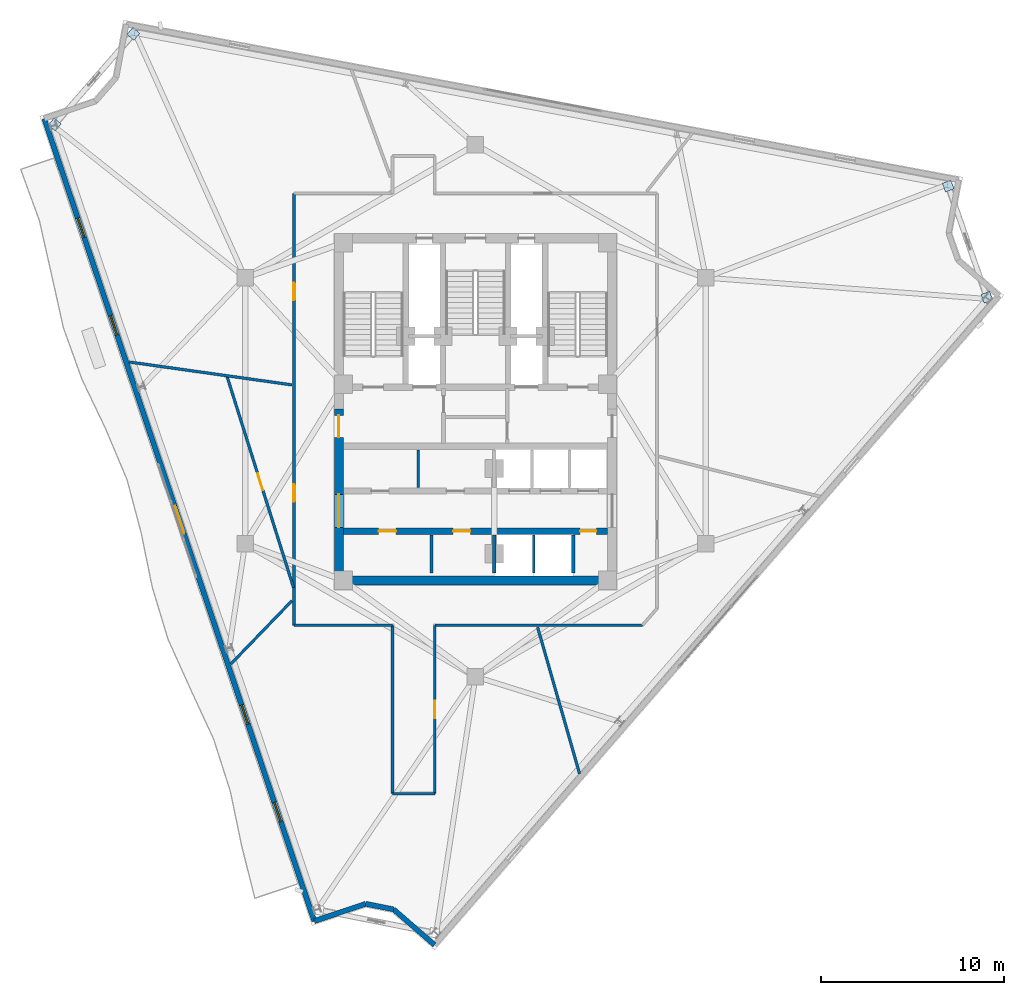
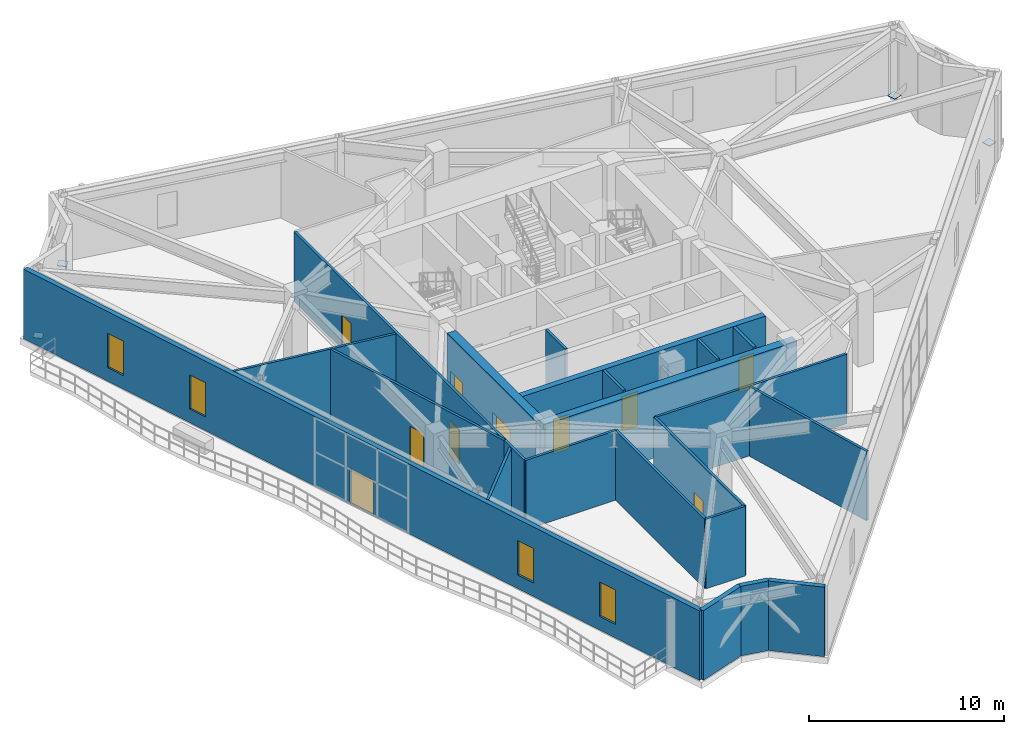
# One storey, part 10 of 15: 22 walls, 10 doors, 4 plates, 4 windows, 14 openings.
"""IFC4 building model written with IfcOpenShell, lengths in metres."""

from ifc_helpers import new_model, si_unit, direction, frame, frame_2d, origin, origin_2d, place, context, subcontext, project, spatial, rectangle, extrude, material, layer, layer_set, type_object, element, fill, save


model = new_model("IFC4")

# Units and contexts
model_context = context("Model", 3, precision=1e-05, world=origin(), true_north=direction((0.0, 1.0)))
body_context = subcontext(model_context, "Body", "Model", "MODEL_VIEW")
ifc_project = project(units=[si_unit("LENGTHUNIT", "METRE"), si_unit("AREAUNIT", "SQUARE_METRE"), si_unit("VOLUMEUNIT", "CUBIC_METRE"), si_unit("PLANEANGLEUNIT", "RADIAN"), si_unit("MASSUNIT", "GRAM", prefix="KILO")], contexts=[model_context])

# Site, building, storey
site_placement = place(None, origin())
site = spatial("IfcSite", under=ifc_project, at=site_placement, CompositionType="ELEMENT")
building_placement = place(site_placement, origin())
building = spatial("IfcBuilding", under=site, at=building_placement, Name="Apsidion Concourse Tower", CompositionType="ELEMENT")
storey_placement = place(building_placement, frame((0.0, 0.0, 260.89990234375)))
storey = spatial("IfcBuildingStorey", under=building, at=storey_placement, Name="L61", CompositionType="ELEMENT", Elevation=260.89990234375)

# Plates
ifc_material_1 = material(Name="Structural steel ASTM A572 Grade 50", Category="steel")
ifc_layer_1 = layer(ifc_material_1, 0.034912109375)
ifc_layer_set_1 = layer_set([ifc_layer_1], Name="Structural steel ASTM A572 Grade 50")
plate_type = type_object("IfcPlateType", Name="PL-ENDCAP-35", PredefinedType="USERDEFINED", material=ifc_layer_set_1)
for number, where, z_axis, x_axis, name in (
    (1, (27.881591796875, 6.185302734375, 0.1025390625), (0.0, 0.0, 1.0), (-0.329031466499, 0.944318957796, 0.0), "L61 Chevron Base End Plate KNB-2-1"),
    (2, (25.770751953125, 12.244140625, 0.1025390625), (0.0, 0.0, 1.0), (-0.329031466499, 0.944318957796, 0.0), "L61 Chevron Base End Plate KNB-2-2"),
    (3, (-18.647216796875, 20.543701171875, 0.1025390625), (0.0, 0.0, 1.0), (0.656059028991, 0.754709580223, 0.0), "L61 Chevron Base End Plate KNB-3-1"),
    (4, (-22.93896484375, 15.606689453125, 0.1025390625), (0.0, 0.0, 1.0), (0.656059028991, 0.754709580223, 0.0), "L61 Chevron Base End Plate KNB-3-2"),
):
    element("IfcPlate", number, at=place(storey_placement, frame(where, z_axis=z_axis, x_axis=x_axis)), inside=storey, type_object=plate_type, Name=name, ObjectType="FLANGE_PLATE", PredefinedType="USERDEFINED", context=body_context, shape_type="SweptSolid", body=[
        extrude(rectangle(XDim=0.5, YDim=0.5, at=origin_2d()), origin(), (0.0, 0.0, 1.0), 0.034912109375),
    ])

# Walls
ifc_material_2 = material(Name="Precast concrete C40/50", Category="concrete")
ifc_layer_2 = layer(ifc_material_2, 0.280029296875)
ifc_layer_set_2 = layer_set([ifc_layer_2], Name="Precast concrete C40/50")
wall_type_1 = type_object("IfcWallType", Name="WL-EXT-280", PredefinedType="STANDARD", material=ifc_layer_set_2)
wall_1_placement = place(storey_placement, frame((-2.235595703125, -29.126220703125, 0.0), z_axis=(0.0, 0.0, 1.0), x_axis=(-0.754753154029, 0.656008899698, 0.0)))
element("IfcWall", 5, at=wall_1_placement, inside=storey, type_object=wall_type_1, Name="L61 Precast Stone Facade Wall 06", PredefinedType="STANDARD", context=body_context, shape_type="SweptSolid", body=[
    extrude(rectangle(XDim=2.95458984375, YDim=0.280029296875, at=frame_2d((1.477294921875, 0.0))), origin(), (0.0, 0.0, 1.0), 4.35009765625),
])
wall_2_placement = place(storey_placement, frame((-4.465576171875, -27.18798828125, 0.0), z_axis=(0.0, 0.0, 1.0), x_axis=(-0.980935552899, 0.194333324621, 0.0)))
element("IfcWall", 6, at=wall_2_placement, inside=storey, type_object=wall_type_1, Name="L61 Precast Stone Facade Wall 07", PredefinedType="STANDARD", context=body_context, shape_type="SweptSolid", body=[
    extrude(rectangle(XDim=1.553955078125, YDim=0.280029296875, at=frame_2d((0.77685546875, 0.0))), origin(), (0.0, 0.0, 1.0), 4.35009765625),
])
wall_3_placement = place(storey_placement, frame((-5.989990234375, -26.885986328125, 0.0), z_axis=(0.0, 0.0, 1.0), x_axis=(-0.947795421507, -0.318879035013, 0.0)))
element("IfcWall", 7, at=wall_3_placement, inside=storey, type_object=wall_type_1, Name="L61 Precast Stone Facade Wall 08", PredefinedType="STANDARD", context=body_context, shape_type="SweptSolid", body=[
    extrude(rectangle(XDim=2.95458984375, YDim=0.280029296875, at=frame_2d((1.477294921875, 0.0))), origin(), (0.0, 0.0, 1.0), 4.35009765625),
])

# Wall, openings, door, windows
wall_4_placement = place(storey_placement, frame((-8.790283203125, -27.828125, 0.0), z_axis=(0.0, 0.0, 1.0), x_axis=(-0.318898365887, 0.947788917552, 0.0)))
wall_4 = element("IfcWall", 8, at=wall_4_placement, inside=storey, type_object=wall_type_1, Name="L61 Precast Stone Facade Wall 09", PredefinedType="STANDARD", context=body_context, shape_type="SweptSolid", body=[
    extrude(rectangle(XDim=46.16259765625, YDim=0.280029296875, at=frame_2d((23.081298828125, 0.0))), origin(), (0.0, 0.0, 1.0), 4.35009765625),
])
opening_1_placement = place(wall_4_placement, frame((22.28125, 0.0, 0.0)))
opening_1 = element("IfcOpeningElement", 9, at=opening_1_placement, cuts=wall_4, Name="Opening D-T2D", PredefinedType="OPENING", context=body_context, shape_type="SweptSolid", body=[
    extrude(rectangle(XDim=1.60009765625, YDim=2.199951171875, at=frame_2d((0.800048828125, 1.10009765625))), frame((0.0, 0.14990234375, 0.0), z_axis=(0.0, -1.0, 0.0), x_axis=(1.0, 0.0, 0.0)), (0.0, 0.0, 1.0), 0.300048828125),
])
opening_2_placement = place(wall_4_placement, frame((5.731201171875, 0.0, 0.85009765625)))
opening_2 = element("IfcOpeningElement", 10, at=opening_2_placement, cuts=wall_4, Name="Opening WN-07", PredefinedType="OPENING", context=body_context, shape_type="SweptSolid", body=[
    extrude(rectangle(XDim=1.10009765625, YDim=2.14990234375, at=frame_2d((0.550048828125, 1.074951171875))), frame((0.0, 0.14990234375, 0.0), z_axis=(0.0, -1.0, 0.0), x_axis=(1.0, 0.0, 0.0)), (0.0, 0.0, 1.0), 0.300048828125),
])
opening_3_placement = place(wall_4_placement, frame((11.331298828125, 0.0, 0.85009765625)))
opening_3 = element("IfcOpeningElement", 11, at=opening_3_placement, cuts=wall_4, Name="Opening WN-07", PredefinedType="OPENING", context=body_context, shape_type="SweptSolid", body=[
    extrude(rectangle(XDim=1.10009765625, YDim=2.14990234375, at=frame_2d((0.550048828125, 1.074951171875))), frame((0.0, 0.14990234375, 0.0), z_axis=(0.0, -1.0, 0.0), x_axis=(1.0, 0.0, 0.0)), (0.0, 0.0, 1.0), 0.300048828125),
])
opening_4_placement = place(wall_4_placement, frame((33.731201171875, 0.0, 0.85009765625)))
opening_4 = element("IfcOpeningElement", 12, at=opening_4_placement, cuts=wall_4, Name="Opening WN-07", PredefinedType="OPENING", context=body_context, shape_type="SweptSolid", body=[
    extrude(rectangle(XDim=1.10009765625, YDim=2.14990234375, at=frame_2d((0.550048828125, 1.074951171875))), frame((0.0, 0.14990234375, 0.0), z_axis=(0.0, -1.0, 0.0), x_axis=(1.0, 0.0, 0.0)), (0.0, 0.0, 1.0), 0.300048828125),
])
opening_5_placement = place(wall_4_placement, frame((39.331298828125, 0.0, 0.85009765625)))
opening_5 = element("IfcOpeningElement", 13, at=opening_5_placement, cuts=wall_4, Name="Opening WN-07", PredefinedType="OPENING", context=body_context, shape_type="SweptSolid", body=[
    extrude(rectangle(XDim=1.10009765625, YDim=2.14990234375, at=frame_2d((0.550048828125, 1.074951171875))), frame((0.0, 0.14990234375, 0.0), z_axis=(0.0, -1.0, 0.0), x_axis=(1.0, 0.0, 0.0)), (0.0, 0.0, 1.0), 0.300048828125),
])
ifc_material_3 = material(Name="Anodised aluminium EN AW-6063 T6", Category="aluminium")
door_type_1 = type_object("IfcDoorType", Name="DR-TER-1622D", OperationType="DOUBLE_DOOR_SINGLE_SWING", PredefinedType="DOOR", material=ifc_material_3)
door_1_placement = place(opening_1_placement, origin())
door_1 = element("IfcDoor", 14, at=door_1_placement, inside=storey, type_object=door_type_1, Name="L61 Spiral Sky-Terrace Access Door 1", OperationType="DOUBLE_DOOR_SINGLE_SWING", OverallHeight=2.199951171875, OverallWidth=1.60009765625, PredefinedType="DOOR", context=body_context, shape_type="SweptSolid", body=[
    extrude(rectangle(XDim=1.60009765625, YDim=2.199951171875, at=frame_2d((0.800048828125, 1.10009765625))), frame((0.0, 0.02490234375, 0.0), z_axis=(0.0, -1.0, 0.0), x_axis=(1.0, 0.0, 0.0)), (0.0, 0.0, 1.0), 0.050048828125),
])
fill(opening_1, door_1)
ifc_material_4 = material(Name="Insulated laminated low-E glass", Category="glass")
window_type = type_object("IfcWindowType", Name="WN-OFF-1123", PartitioningType="SINGLE_PANEL", PredefinedType="WINDOW", material=ifc_material_4)
window_1_placement = place(opening_2_placement, origin())
window_1 = element("IfcWindow", 15, at=window_1_placement, inside=storey, type_object=window_type, Name="L61 Punched Facade Window 9-01", OverallHeight=2.14990234375, OverallWidth=1.10009765625, PartitioningType="SINGLE_PANEL", PredefinedType="WINDOW", context=body_context, shape_type="SweptSolid", body=[
    extrude(rectangle(XDim=1.10009765625, YDim=2.14990234375, at=frame_2d((0.550048828125, 1.074951171875))), frame((0.0, 0.030029296875, 0.0), z_axis=(0.0, -1.0, 0.0), x_axis=(1.0, 0.0, 0.0)), (0.0, 0.0, 1.0), 0.06005859375),
])
fill(opening_2, window_1)
window_2_placement = place(opening_3_placement, origin())
window_2 = element("IfcWindow", 16, at=window_2_placement, inside=storey, type_object=window_type, Name="L61 Punched Facade Window 9-02", OverallHeight=2.14990234375, OverallWidth=1.10009765625, PartitioningType="SINGLE_PANEL", PredefinedType="WINDOW", context=body_context, shape_type="SweptSolid", body=[
    extrude(rectangle(XDim=1.10009765625, YDim=2.14990234375, at=frame_2d((0.550048828125, 1.074951171875))), frame((0.0, 0.030029296875, 0.0), z_axis=(0.0, -1.0, 0.0), x_axis=(1.0, 0.0, 0.0)), (0.0, 0.0, 1.0), 0.06005859375),
])
fill(opening_3, window_2)
window_3_placement = place(opening_4_placement, origin())
window_3 = element("IfcWindow", 17, at=window_3_placement, inside=storey, type_object=window_type, Name="L61 Punched Facade Window 9-06", OverallHeight=2.14990234375, OverallWidth=1.10009765625, PartitioningType="SINGLE_PANEL", PredefinedType="WINDOW", context=body_context, shape_type="SweptSolid", body=[
    extrude(rectangle(XDim=1.10009765625, YDim=2.14990234375, at=frame_2d((0.550048828125, 1.074951171875))), frame((0.0, 0.030029296875, 0.0), z_axis=(0.0, -1.0, 0.0), x_axis=(1.0, 0.0, 0.0)), (0.0, 0.0, 1.0), 0.06005859375),
])
fill(opening_4, window_3)
window_4_placement = place(opening_5_placement, origin())
window_4 = element("IfcWindow", 18, at=window_4_placement, inside=storey, type_object=window_type, Name="L61 Punched Facade Window 9-07", OverallHeight=2.14990234375, OverallWidth=1.10009765625, PartitioningType="SINGLE_PANEL", PredefinedType="WINDOW", context=body_context, shape_type="SweptSolid", body=[
    extrude(rectangle(XDim=1.10009765625, YDim=2.14990234375, at=frame_2d((0.550048828125, 1.074951171875))), frame((0.0, 0.030029296875, 0.0), z_axis=(0.0, -1.0, 0.0), x_axis=(1.0, 0.0, 0.0)), (0.0, 0.0, 1.0), 0.06005859375),
])
fill(opening_5, window_4)

# Walls
ifc_material_5 = material(Name="Gypsum plasterboard partition")
ifc_layer_3 = layer(ifc_material_5, 0.14990234375)
ifc_layer_set_3 = layer_set([ifc_layer_3], Name="Gypsum plasterboard partition")
wall_type_2 = type_object("IfcWallType", Name="WL-INT-PAR-150", PredefinedType="PARTITIONING", material=ifc_layer_set_3)
wall_5_placement = place(storey_placement, frame((-3.1201171875, -4.179931640625, 0.0), z_axis=(0.0, 0.0, 1.0), x_axis=(0.0, 1.0, 0.0)))
element("IfcWall", 19, at=wall_5_placement, inside=storey, type_object=wall_type_2, Name="L61 Interior Partition WL-L61-B1RV1", PredefinedType="PARTITIONING", context=body_context, shape_type="SweptSolid", body=[
    extrude(rectangle(XDim=2.030029296875, YDim=0.14990234375, at=frame_2d((1.01513671875, 0.0))), origin(), (0.0, 0.0, 1.0), 4.35009765625),
])
for number, where, z_axis, x_axis, name in (
    (20, (-2.39990234375, -8.85009765625, 0.0), (0.0, 0.0, 1.0), (0.0, 1.0, 0.0), "L61 Interior Partition WL-L61-B2RV1"),
    (21, (3.175048828125, -8.85009765625, 0.0), (0.0, 0.0, 1.0), (0.0, 1.0, 0.0), "L61 Interior Partition WL-L61-SHDIV-1"),
):
    element("IfcWall", number, at=place(storey_placement, frame(where, z_axis=z_axis, x_axis=x_axis)), inside=storey, type_object=wall_type_2, Name=name, PredefinedType="PARTITIONING", context=body_context, shape_type="SweptSolid", body=[
        extrude(rectangle(XDim=2.080078125, YDim=0.14990234375, at=frame_2d((1.0400390625, 0.0))), origin(), (0.0, 0.0, 1.0), 4.35009765625),
    ])
wall_6_placement = place(storey_placement, frame((-4.530029296875, -11.699951171875, 0.0), z_axis=(0.0, 0.0, 1.0), x_axis=(-1.0, 0.0, 0.0)))
element("IfcWall", 22, at=wall_6_placement, inside=storey, type_object=wall_type_2, Name="L61 Interior Partition WL-L61-CORR-01", PredefinedType="PARTITIONING", context=body_context, shape_type="SweptSolid", body=[
    extrude(rectangle(XDim=5.369873046875, YDim=0.14990234375, at=frame_2d((2.68505859375, 0.0))), origin(), (0.0, 0.0, 1.0), 4.35009765625),
])

# Wall, openings, doors
wall_7_placement = place(storey_placement, frame((-9.89990234375, -11.699951171875, 0.0), z_axis=(0.0, 0.0, 1.0), x_axis=(0.0, 1.0, 0.0)))
wall_7 = element("IfcWall", 23, at=wall_7_placement, inside=storey, type_object=wall_type_2, Name="L61 Interior Partition WL-L61-CORR-02", PredefinedType="PARTITIONING", context=body_context, shape_type="SweptSolid", body=[
    extrude(rectangle(XDim=23.550048828125, YDim=0.14990234375, at=frame_2d((11.77490234375, 0.0))), origin(), (0.0, 0.0, 1.0), 4.35009765625),
])
opening_6_placement = place(wall_7_placement, frame((6.736083984375, 0.0, 0.0)))
opening_6 = element("IfcOpeningElement", 24, at=opening_6_placement, cuts=wall_7, Name="Opening D-01L", PredefinedType="OPENING", context=body_context, shape_type="SweptSolid", body=[
    extrude(rectangle(XDim=0.949951171875, YDim=2.14990234375, at=frame_2d((0.47509765625, 1.074951171875))), frame((0.0, 0.0849609375, 0.0), z_axis=(0.0, -1.0, 0.0), x_axis=(1.0, 0.0, 0.0)), (0.0, 0.0, 1.0), 0.169921875),
])
opening_7_placement = place(wall_7_placement, frame((17.724365234375, 0.0, 0.0)))
opening_7 = element("IfcOpeningElement", 25, at=opening_7_placement, cuts=wall_7, Name="Opening D-01R", PredefinedType="OPENING", context=body_context, shape_type="SweptSolid", body=[
    extrude(rectangle(XDim=0.949951171875, YDim=2.14990234375, at=frame_2d((0.47509765625, 1.074951171875))), frame((0.0, 0.0849609375, 0.0), z_axis=(0.0, -1.0, 0.0), x_axis=(1.0, 0.0, 0.0)), (0.0, 0.0, 1.0), 0.169921875),
])
ifc_material_6 = material(Name="Brushed stainless steel 316", Category="steel")
door_type_2 = type_object("IfcDoorType", Name="DR-INT-D01L", OperationType="SINGLE_SWING_LEFT", PredefinedType="DOOR", material=ifc_material_6)
door_2_placement = place(opening_6_placement, origin())
door_2 = element("IfcDoor", 26, at=door_2_placement, inside=storey, type_object=door_type_2, Name="L61 Corridor Entry Door 01", OperationType="SINGLE_SWING_LEFT", OverallHeight=2.14990234375, OverallWidth=0.949951171875, PredefinedType="DOOR", context=body_context, shape_type="SweptSolid", body=[
    extrude(rectangle(XDim=0.949951171875, YDim=2.14990234375, at=frame_2d((0.47509765625, 1.074951171875))), frame((0.0, 0.02490234375, 0.0), z_axis=(0.0, -1.0, 0.0), x_axis=(1.0, 0.0, 0.0)), (0.0, 0.0, 1.0), 0.050048828125),
])
fill(opening_6, door_2)
door_type_3 = type_object("IfcDoorType", Name="DR-INT-D01R", OperationType="SINGLE_SWING_RIGHT", PredefinedType="DOOR", material=ifc_material_6)
door_3_placement = place(opening_7_placement, origin())
door_3 = element("IfcDoor", 27, at=door_3_placement, inside=storey, type_object=door_type_3, Name="L61 Corridor Entry Door 06", OperationType="SINGLE_SWING_RIGHT", OverallHeight=2.14990234375, OverallWidth=0.949951171875, PredefinedType="DOOR", context=body_context, shape_type="SweptSolid", body=[
    extrude(rectangle(XDim=0.949951171875, YDim=2.14990234375, at=frame_2d((0.47509765625, 1.074951171875))), frame((0.0, 0.02490234375, 0.0), z_axis=(0.0, -1.0, 0.0), x_axis=(1.0, 0.0, 0.0)), (0.0, 0.0, 1.0), 0.050048828125),
])
fill(opening_7, door_3)

# Wall
wall_8_placement = place(storey_placement, frame((9.103271484375, -11.699951171875, 0.0), z_axis=(0.0, 0.0, 1.0), x_axis=(-1.0, 0.0, 0.0)))
element("IfcWall", 28, at=wall_8_placement, inside=storey, type_object=wall_type_2, Name="L61 Interior Partition WL-L61-CORR-10", PredefinedType="PARTITIONING", context=body_context, shape_type="SweptSolid", body=[
    extrude(rectangle(XDim=11.3232421875, YDim=0.14990234375, at=frame_2d((5.66162109375, 0.0))), origin(), (0.0, 0.0, 1.0), 4.35009765625),
])

# Wall, opening, door
wall_9_placement = place(storey_placement, frame((-2.219970703125, -11.699951171875, 0.0), z_axis=(0.0, 0.0, 1.0), x_axis=(0.0, -1.0, 0.0)))
wall_9 = element("IfcWall", 29, at=wall_9_placement, inside=storey, type_object=wall_type_2, Name="L61 Interior Partition WL-L61-CORR-11", PredefinedType="PARTITIONING", context=body_context, shape_type="SweptSolid", body=[
    extrude(rectangle(XDim=9.179931640625, YDim=0.14990234375, at=frame_2d((4.58984375, 0.0))), origin(), (0.0, 0.0, 1.0), 4.35009765625),
])
opening_8_placement = place(wall_9_placement, frame((4.114990234375, 0.0, 0.0)))
opening_8 = element("IfcOpeningElement", 30, at=opening_8_placement, cuts=wall_9, Name="Opening D-01R", PredefinedType="OPENING", context=body_context, shape_type="SweptSolid", body=[
    extrude(rectangle(XDim=0.949951171875, YDim=2.14990234375, at=frame_2d((0.47509765625, 1.074951171875))), frame((0.0, 0.0849609375, 0.0), z_axis=(0.0, -1.0, 0.0), x_axis=(1.0, 0.0, 0.0)), (0.0, 0.0, 1.0), 0.169921875),
])
door_4_placement = place(opening_8_placement, origin())
door_4 = element("IfcDoor", 31, at=door_4_placement, inside=storey, type_object=door_type_3, Name="L61 Corridor Entry Door 02", OperationType="SINGLE_SWING_RIGHT", OverallHeight=2.14990234375, OverallWidth=0.949951171875, PredefinedType="DOOR", context=body_context, shape_type="SweptSolid", body=[
    extrude(rectangle(XDim=0.949951171875, YDim=2.14990234375, at=frame_2d((0.47509765625, 1.074951171875))), frame((0.0, 0.02490234375, 0.0), z_axis=(0.0, -1.0, 0.0), x_axis=(1.0, 0.0, 0.0)), (0.0, 0.0, 1.0), 0.050048828125),
])
fill(opening_8, door_4)

# Walls
wall_10_placement = place(storey_placement, frame((-2.219970703125, -20.8798828125, 0.0), z_axis=(0.0, 0.0, 1.0), x_axis=(-1.0, 0.0, 0.0)))
element("IfcWall", 32, at=wall_10_placement, inside=storey, type_object=wall_type_2, Name="L61 Interior Partition WL-L61-CORR-12", PredefinedType="PARTITIONING", context=body_context, shape_type="SweptSolid", body=[
    extrude(rectangle(XDim=2.31005859375, YDim=0.14990234375, at=frame_2d((1.155029296875, 0.0))), origin(), (0.0, 0.0, 1.0), 4.35009765625),
])
wall_11_placement = place(storey_placement, frame((-4.530029296875, -20.8798828125, 0.0), z_axis=(0.0, 0.0, 1.0), x_axis=(0.0, 1.0, 0.0)))
element("IfcWall", 33, at=wall_11_placement, inside=storey, type_object=wall_type_2, Name="L61 Interior Partition WL-L61-CORR-13", PredefinedType="PARTITIONING", context=body_context, shape_type="SweptSolid", body=[
    extrude(rectangle(XDim=9.179931640625, YDim=0.14990234375, at=frame_2d((4.58984375, 0.0))), origin(), (0.0, 0.0, 1.0), 4.35009765625),
])
wall_12_placement = place(storey_placement, frame((-10.0048828125, 1.406005859375, 0.0), z_axis=(0.0, 0.0, 1.0), x_axis=(-0.990266668464, 0.139183064089, 0.0)))
element("IfcWall", 34, at=wall_12_placement, inside=storey, type_object=wall_type_2, Name="L61 Interior Partition WL-L61-RAD-03-1", PredefinedType="PARTITIONING", context=body_context, shape_type="SweptSolid", body=[
    extrude(rectangle(XDim=8.965087890625, YDim=0.14990234375, at=frame_2d((4.482421875, 0.0))), origin(), (0.0, 0.0, 1.0), 4.35009765625),
])
wall_13_placement = place(storey_placement, frame((-10.0048828125, -10.360595703125, 0.0), z_axis=(0.0, 0.0, 1.0), x_axis=(-0.694673426667, -0.719325260423, 0.0)))
element("IfcWall", 35, at=wall_13_placement, inside=storey, type_object=wall_type_2, Name="L61 Interior Partition WL-L61-RAD-04-1", PredefinedType="PARTITIONING", context=body_context, shape_type="SweptSolid", body=[
    extrude(rectangle(XDim=4.80322265625, YDim=0.14990234375, at=frame_2d((2.401611328125, 0.0))), origin(), (0.0, 0.0, 1.0), 4.35009765625),
])
wall_14_placement = place(storey_placement, frame((3.385009765625, -11.804931640625, 0.0), z_axis=(0.0, 0.0, 1.0), x_axis=(0.275648725589, -0.961258435636, 0.0)))
element("IfcWall", 36, at=wall_14_placement, inside=storey, type_object=wall_type_2, Name="L61 Interior Partition WL-L61-RAD-05-1", PredefinedType="PARTITIONING", context=body_context, shape_type="SweptSolid", body=[
    extrude(rectangle(XDim=8.306884765625, YDim=0.14990234375, at=frame_2d((4.1533203125, 0.0))), origin(), (0.0, 0.0, 1.0), 4.35009765625),
])

# Wall, opening, door
wall_15_placement = place(storey_placement, frame((-13.549072265625, 1.87890625, 0.0), z_axis=(0.0, 0.0, 1.0), x_axis=(0.300333532513, -0.953834246213, 0.0)))
wall_15 = element("IfcWall", 37, at=wall_15_placement, inside=storey, type_object=wall_type_2, Name="L61 Interior Partition WL-L61-CHD-OFWC", PredefinedType="PARTITIONING", context=body_context, shape_type="SweptSolid", body=[
    extrude(rectangle(XDim=12.083740234375, YDim=0.14990234375, at=frame_2d((6.0419921875, 0.0))), origin(), (0.0, 0.0, 1.0), 4.35009765625),
])
opening_9_placement = place(wall_15_placement, frame((5.56689453125, 0.0, 0.0)))
opening_9 = element("IfcOpeningElement", 38, at=opening_9_placement, cuts=wall_15, Name="Opening D-04L", PredefinedType="OPENING", context=body_context, shape_type="SweptSolid", body=[
    extrude(rectangle(XDim=0.949951171875, YDim=2.14990234375, at=frame_2d((0.47509765625, 1.074951171875))), frame((0.0, 0.0849609375, 0.0), z_axis=(0.0, -1.0, 0.0), x_axis=(1.0, 0.0, 0.0)), (0.0, 0.0, 1.0), 0.169921875),
])
door_type_4 = type_object("IfcDoorType", Name="DR-INT-D04L", OperationType="SINGLE_SWING_LEFT", PredefinedType="DOOR", material=ifc_material_6)
door_5_placement = place(opening_9_placement, origin())
door_5 = element("IfcDoor", 39, at=door_5_placement, inside=storey, type_object=door_type_4, Name="L61 Suite Connecting Door OFWC", OperationType="SINGLE_SWING_LEFT", OverallHeight=2.14990234375, OverallWidth=0.949951171875, PredefinedType="DOOR", context=body_context, shape_type="SweptSolid", body=[
    extrude(rectangle(XDim=0.949951171875, YDim=2.14990234375, at=frame_2d((0.47509765625, 1.074951171875))), frame((0.0, 0.02490234375, 0.0), z_axis=(0.0, -1.0, 0.0), x_axis=(1.0, 0.0, 0.0)), (0.0, 0.0, 1.0), 0.050048828125),
])
fill(opening_9, door_5)

# Walls
ifc_layer_4 = layer(ifc_material_5, 0.179931640625)
ifc_layer_set_4 = layer_set([ifc_layer_4], Name="Gypsum plasterboard partition")
wall_type_3 = type_object("IfcWallType", Name="WL-INT-PAR-180", PredefinedType="PARTITIONING", material=ifc_layer_set_4)
wall_16_placement = place(storey_placement, frame((1.02490234375, -8.85009765625, 0.0), z_axis=(0.0, 0.0, 1.0), x_axis=(0.0, 1.0, 0.0)))
element("IfcWall", 40, at=wall_16_placement, inside=storey, type_object=wall_type_3, Name="L61 Interior Partition WL-L61-B2END", PredefinedType="PARTITIONING", context=body_context, shape_type="SweptSolid", body=[
    extrude(rectangle(XDim=2.080078125, YDim=0.179931640625, at=frame_2d((1.0400390625, 0.0))), origin(), (0.0, 0.0, 1.0), 3.398193359375),
])
wall_17_placement = place(storey_placement, frame((5.324951171875, -8.85009765625, 0.0), z_axis=(0.0, 0.0, 1.0), x_axis=(0.0, 1.0, 0.0)))
element("IfcWall", 41, at=wall_17_placement, inside=storey, type_object=wall_type_3, Name="L61 Interior Partition WL-L61-SHDIV-2", PredefinedType="PARTITIONING", context=body_context, shape_type="SweptSolid", body=[
    extrude(rectangle(XDim=2.080078125, YDim=0.179931640625, at=frame_2d((1.0400390625, 0.0))), origin(), (0.0, 0.0, 1.0), 4.35009765625),
])

# Wall, openings, doors
ifc_material_7 = material(Name="Concrete C50/60", Category="concrete")
ifc_layer_5 = layer(ifc_material_7, 0.35009765625)
ifc_layer_set_5 = layer_set([ifc_layer_5], Name="Concrete C50/60")
wall_type_4 = type_object("IfcWallType", Name="WL-SH-350", PredefinedType="SHEAR", material=ifc_layer_set_5)
wall_18_placement = place(storey_placement, frame((-7.199951171875, -6.570068359375, 0.0), z_axis=(0.0, 0.0, 1.0), x_axis=(1.0, 0.0, 0.0)))
wall_18 = element("IfcWall", 42, at=wall_18_placement, inside=storey, type_object=wall_type_4, Name="L61 Central Core Shear Wall LB", PredefinedType="SHEAR", context=body_context, shape_type="SweptSolid", body=[
    extrude(rectangle(XDim=14.39990234375, YDim=0.35009765625, at=frame_2d((7.199951171875, 0.0))), origin(), (0.0, 0.0, 1.0), 4.35009765625),
])
opening_10_placement = place(wall_18_placement, frame((1.925048828125, 0.0, 0.0)))
opening_10 = element("IfcOpeningElement", 43, at=opening_10_placement, cuts=wall_18, Name="Opening D-04R", PredefinedType="OPENING", context=body_context, shape_type="SweptSolid", body=[
    extrude(rectangle(XDim=0.949951171875, YDim=2.14990234375, at=frame_2d((0.47509765625, 1.074951171875))), frame((0.0, 0.18505859375, 0.0), z_axis=(0.0, -1.0, 0.0), x_axis=(1.0, 0.0, 0.0)), (0.0, 0.0, 1.0), 0.3701171875),
])
opening_11_placement = place(wall_18_placement, frame((5.97509765625, 0.0, 0.0)))
opening_11 = element("IfcOpeningElement", 44, at=opening_11_placement, cuts=wall_18, Name="Opening D-04L", PredefinedType="OPENING", context=body_context, shape_type="SweptSolid", body=[
    extrude(rectangle(XDim=0.949951171875, YDim=2.14990234375, at=frame_2d((0.47509765625, 1.074951171875))), frame((0.0, 0.18505859375, 0.0), z_axis=(0.0, -1.0, 0.0), x_axis=(1.0, 0.0, 0.0)), (0.0, 0.0, 1.0), 0.3701171875),
])
opening_12_placement = place(wall_18_placement, frame((12.909912109375, 0.0, 0.0)))
opening_12 = element("IfcOpeningElement", 45, at=opening_12_placement, cuts=wall_18, Name="Opening D-05L", PredefinedType="OPENING", context=body_context, shape_type="SweptSolid", body=[
    extrude(rectangle(XDim=0.8798828125, YDim=2.14990234375, at=frame_2d((0.43994140625, 1.074951171875))), frame((0.0, 0.18505859375, 0.0), z_axis=(0.0, -1.0, 0.0), x_axis=(1.0, 0.0, 0.0)), (0.0, 0.0, 1.0), 0.3701171875),
])
door_6_placement = place(opening_11_placement, origin())
door_6 = element("IfcDoor", 46, at=door_6_placement, inside=storey, type_object=door_type_4, Name="L61 Executive IT Server Room Door", OperationType="SINGLE_SWING_LEFT", OverallHeight=2.14990234375, OverallWidth=0.949951171875, PredefinedType="DOOR", context=body_context, shape_type="SweptSolid", body=[
    extrude(rectangle(XDim=0.949951171875, YDim=2.14990234375, at=frame_2d((0.47509765625, 1.074951171875))), frame((0.0, 0.02490234375, 0.0), z_axis=(0.0, -1.0, 0.0), x_axis=(1.0, 0.0, 0.0)), (0.0, 0.0, 1.0), 0.050048828125),
])
fill(opening_11, door_6)
door_type_5 = type_object("IfcDoorType", Name="DR-INT-D04R", OperationType="SINGLE_SWING_RIGHT", PredefinedType="DOOR", material=ifc_material_6)
door_7_placement = place(opening_10_placement, origin())
door_7 = element("IfcDoor", 47, at=door_7_placement, inside=storey, type_object=door_type_5, Name="L61 Executive Catering Pantry Door", OperationType="SINGLE_SWING_RIGHT", OverallHeight=2.14990234375, OverallWidth=0.949951171875, PredefinedType="DOOR", context=body_context, shape_type="SweptSolid", body=[
    extrude(rectangle(XDim=0.949951171875, YDim=2.14990234375, at=frame_2d((0.47509765625, 1.074951171875))), frame((0.0, 0.02490234375, 0.0), z_axis=(0.0, -1.0, 0.0), x_axis=(1.0, 0.0, 0.0)), (0.0, 0.0, 1.0), 0.050048828125),
])
fill(opening_10, door_7)
door_type_6 = type_object("IfcDoorType", Name="DR-INT-D05L", OperationType="SINGLE_SWING_LEFT", PredefinedType="DOOR", material=ifc_material_6)
door_8_placement = place(opening_12_placement, origin())
door_8 = element("IfcDoor", 48, at=door_8_placement, inside=storey, type_object=door_type_6, Name="L61 Cleaners Store Door", OperationType="SINGLE_SWING_LEFT", OverallHeight=2.14990234375, OverallWidth=0.8798828125, PredefinedType="DOOR", context=body_context, shape_type="SweptSolid", body=[
    extrude(rectangle(XDim=0.8798828125, YDim=2.14990234375, at=frame_2d((0.43994140625, 1.074951171875))), frame((0.0, 0.02490234375, 0.0), z_axis=(0.0, -1.0, 0.0), x_axis=(1.0, 0.0, 0.0)), (0.0, 0.0, 1.0), 0.050048828125),
])
fill(opening_12, door_8)

ifc_layer_6 = layer(ifc_material_7, 0.5)
ifc_layer_set_6 = layer_set([ifc_layer_6], Name="Concrete C50/60")
wall_type_5 = type_object("IfcWallType", Name="WL-SH-500", PredefinedType="SHEAR", material=ifc_layer_set_6)
wall_19_placement = place(storey_placement, frame((-7.449951171875, -9.0, 0.0), z_axis=(0.0, 0.0, 1.0), x_axis=(0.0, 1.0, 0.0)))
wall_19 = element("IfcWall", 49, at=wall_19_placement, inside=storey, type_object=wall_type_5, Name="L61 Central Core Shear Wall WS", PredefinedType="SHEAR", context=body_context, shape_type="SweptSolid", body=[
    extrude(rectangle(XDim=9.10009765625, YDim=0.5, at=frame_2d((4.550048828125, 0.0))), origin(), (0.0, 0.0, 1.0), 4.35009765625),
])
opening_13_placement = place(wall_19_placement, frame((2.639892578125, 0.0, 0.0)))
opening_13 = element("IfcOpeningElement", 50, at=opening_13_placement, cuts=wall_19, Name="Opening D-06D", PredefinedType="OPENING", context=body_context, shape_type="SweptSolid", body=[
    extrude(rectangle(XDim=1.800048828125, YDim=2.199951171875, at=frame_2d((0.89990234375, 1.10009765625))), frame((0.0, 0.260009765625, 0.0), z_axis=(0.0, -1.0, 0.0), x_axis=(1.0, 0.0, 0.0)), (0.0, 0.0, 1.0), 0.52001953125),
])
opening_14_placement = place(wall_19_placement, frame((7.550048828125, 0.0, 0.0)))
opening_14 = element("IfcOpeningElement", 51, at=opening_14_placement, cuts=wall_19, Name="Opening D-FFL", PredefinedType="OPENING", context=body_context, shape_type="SweptSolid", body=[
    extrude(rectangle(XDim=1.199951171875, YDim=2.14990234375, at=frame_2d((0.60009765625, 1.074951171875))), frame((0.0, 0.260009765625, 0.0), z_axis=(0.0, -1.0, 0.0), x_axis=(1.0, 0.0, 0.0)), (0.0, 0.0, 1.0), 0.52001953125),
])
door_type_7 = type_object("IfcDoorType", Name="DR-INT-D06D", OperationType="DOUBLE_DOOR_SINGLE_SWING", PredefinedType="DOOR", material=ifc_material_6)
door_9_placement = place(opening_13_placement, origin())
door_9 = element("IfcDoor", 52, at=door_9_placement, inside=storey, type_object=door_type_7, Name="L61 Passenger Lift Lobby WS Portal Door", OperationType="DOUBLE_DOOR_SINGLE_SWING", OverallHeight=2.199951171875, OverallWidth=1.800048828125, PredefinedType="DOOR", context=body_context, shape_type="SweptSolid", body=[
    extrude(rectangle(XDim=1.800048828125, YDim=2.199951171875, at=frame_2d((0.89990234375, 1.10009765625))), frame((0.0, 0.02490234375, 0.0), z_axis=(0.0, -1.0, 0.0), x_axis=(1.0, 0.0, 0.0)), (0.0, 0.0, 1.0), 0.050048828125),
])
fill(opening_13, door_9)
door_type_8 = type_object("IfcDoorType", Name="DR-INT-FFL", OperationType="SINGLE_SWING_LEFT", PredefinedType="DOOR", material=ifc_material_6)
door_10_placement = place(opening_14_placement, origin())
door_10 = element("IfcDoor", 53, at=door_10_placement, inside=storey, type_object=door_type_8, Name="L61 Firefighting Lift Lobby FF1 Door", OperationType="SINGLE_SWING_LEFT", OverallHeight=2.14990234375, OverallWidth=1.199951171875, PredefinedType="DOOR", context=body_context, shape_type="SweptSolid", body=[
    extrude(rectangle(XDim=1.199951171875, YDim=2.14990234375, at=frame_2d((0.60009765625, 1.074951171875))), frame((0.0, 0.02490234375, 0.0), z_axis=(0.0, -1.0, 0.0), x_axis=(1.0, 0.0, 0.0)), (0.0, 0.0, 1.0), 0.050048828125),
])
fill(opening_14, door_10)

# Wall
wall_20_placement = place(storey_placement, frame((-7.449951171875, -9.25, 0.0), z_axis=(0.0, 0.0, 1.0), x_axis=(1.0, 0.0, 0.0)))
element("IfcWall", 54, at=wall_20_placement, inside=storey, type_object=wall_type_5, Name="L61 Central Core Shear Wall S", PredefinedType="SHEAR", context=body_context, shape_type="SweptSolid", body=[
    extrude(rectangle(XDim=14.89990234375, YDim=0.5, at=frame_2d((7.449951171875, 0.0))), origin(), (0.0, 0.0, 1.0), 4.35009765625),
])

save(model, "model.ifc")
